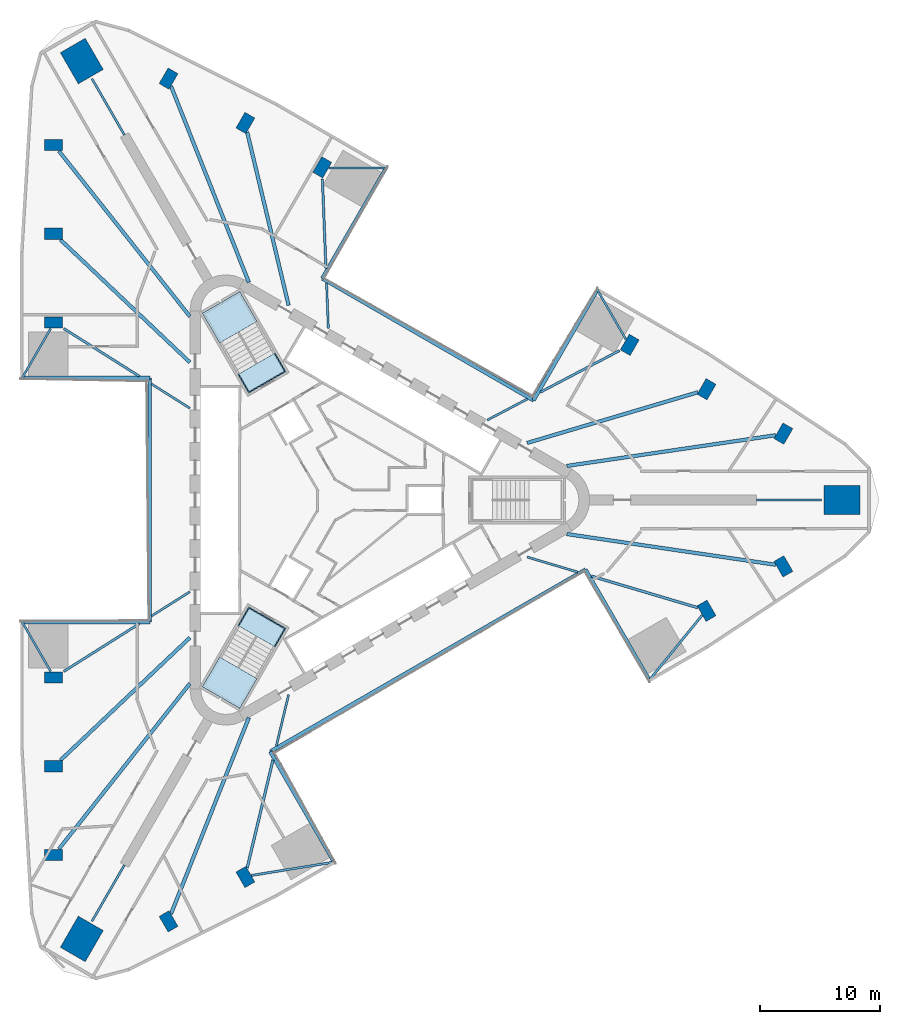
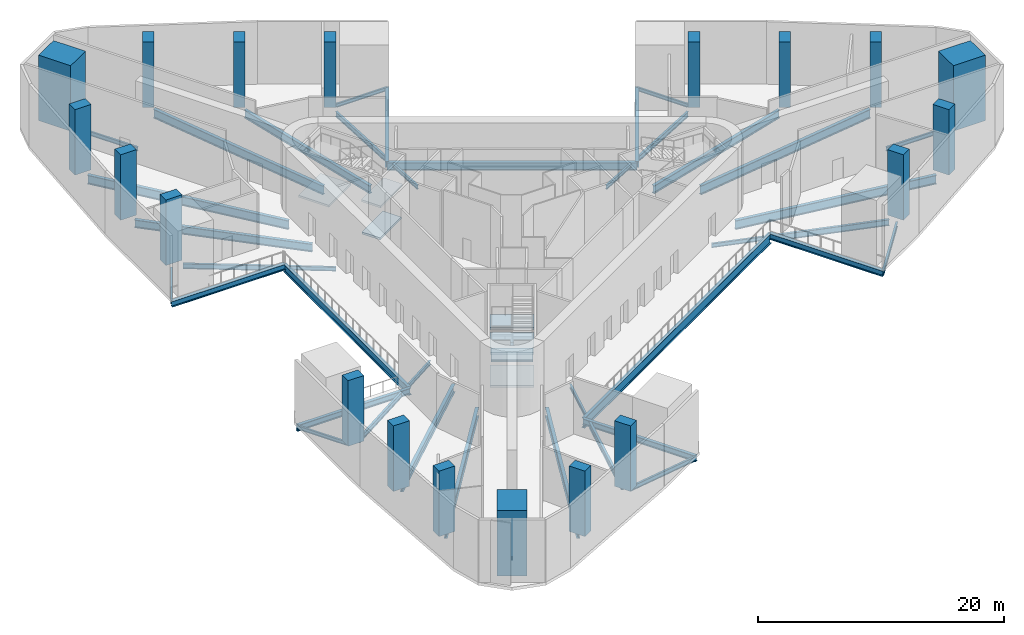
# One storey, part 1 of 11: 40 beams, 19 columns, 7 slabs, 2 elements without a shape of their own.
"""IFC4 building model written with IfcOpenShell, lengths in metres."""

from ifc_helpers import new_model, si_unit, direction, frame, origin, origin_2d, place, context, subcontext, project, spatial, polyline, rectangle, i_section, outline, extrude, material, layer, layer_set, material_profile, profile_set, type_object, element, aggregate, save


model = new_model("IFC4")

# Units and contexts
model_context = context("Model", 3, precision=1e-05, world=origin(), true_north=direction((0.0, 1.0)))
body_context = subcontext(model_context, "Body", "Model", "MODEL_VIEW")
ifc_project = project(units=[si_unit("LENGTHUNIT", "METRE"), si_unit("AREAUNIT", "SQUARE_METRE"), si_unit("VOLUMEUNIT", "CUBIC_METRE"), si_unit("PLANEANGLEUNIT", "RADIAN"), si_unit("MASSUNIT", "GRAM", prefix="KILO")], contexts=[model_context])

# Site, building, storey
site_placement = place(None, origin())
site = spatial("IfcSite", under=ifc_project, at=site_placement, CompositionType="ELEMENT")
building_placement = place(site_placement, origin())
building = spatial("IfcBuilding", under=site, at=building_placement, Name="Tanit Gate Tower", CompositionType="ELEMENT")
storey_placement = place(building_placement, frame((0.0, 0.0, 9.0)))
storey = spatial("IfcBuildingStorey", under=building, at=storey_placement, Name="L01", CompositionType="ELEMENT", Elevation=9.0)

# Columns
ifc_material_1 = material(Name="Concrete C80/95", Category="concrete")
ifc_material_profile_1 = material_profile(ifc_material_1, rectangle(XDim=3.0, YDim=2.39990234375, at=origin_2d()), Name="RC 3000x2400")
ifc_profile_set_1 = profile_set([ifc_material_profile_1], Name="Concrete C80/95")
column_type_1 = type_object("IfcColumnType", Name="MEGA COLUMN 3000x2400 C80/95", PredefinedType="COLUMN", material=ifc_profile_set_1)
for number, where, z_axis, x_axis, name in (
    (1, (42.211181640625, 0.0, 0.0), (0.0, 0.0, 1.0), (1.0, 0.0, 0.0), "MEGA COLUMN"),
    (2, (-21.105712890625, 36.555908203125, 0.0), (0.0, 0.0, 1.0), (-0.5, 0.866025403784, 0.0), "MEGA COLUMN"),
    (3, (-21.105712890625, -36.555908203125, 0.0), (0.0, 0.0, 1.0), (-0.5, -0.866025403784, 0.0), "MEGA COLUMN"),
):
    element("IfcColumn", number, at=place(storey_placement, frame(where, z_axis=z_axis, x_axis=x_axis)), inside=storey, type_object=column_type_1, Name=name, PredefinedType="COLUMN", context=body_context, shape_type="SweptSolid", body=[
        extrude(rectangle(XDim=3.0, YDim=2.39990234375, at=origin_2d()), origin(), (0.0, 0.0, 1.0), 6.5),
    ])
ifc_material_2 = material(Name="Concrete C70/85", Category="concrete")
ifc_material_profile_2 = material_profile(ifc_material_2, rectangle(XDim=1.5, YDim=0.949951171875, at=origin_2d()), Name="RC 1500x950")
ifc_profile_set_2 = profile_set([ifc_material_profile_2], Name="Concrete C70/85")
column_type_2 = type_object("IfcColumnType", Name="PERIMETER COLUMN 1500x950 C70/85", PredefinedType="COLUMN", material=ifc_profile_set_2)
for number, where, z_axis, x_axis, name in (
    (4, (-23.453369140625, 29.56591796875, 0.0), (0.0, 0.0, 1.0), (-1.0, 0.0, 0.0), "PERIMETER COLUMN"),
    (5, (-23.453369140625, 22.17431640625, 0.0), (0.0, 0.0, 1.0), (-1.0, 0.0, 0.0), "PERIMETER COLUMN"),
    (6, (-23.453369140625, 14.782958984375, 0.0), (0.0, 0.0, 1.0), (-1.0, 0.0, 0.0), "PERIMETER COLUMN"),
    (7, (-23.453369140625, -14.782958984375, 0.0), (0.0, 0.0, 1.0), (-1.0, 0.0, 0.0), "PERIMETER COLUMN"),
    (8, (-23.453369140625, -22.17431640625, 0.0), (0.0, 0.0, 1.0), (-1.0, 0.0, 0.0), "PERIMETER COLUMN"),
    (9, (-23.453369140625, -29.56591796875, 0.0), (0.0, 0.0, 1.0), (-1.0, 0.0, 0.0), "PERIMETER COLUMN"),
    (10, (37.331298828125, 5.5283203125, 0.0), (0.0, 0.0, 1.0), (0.5, 0.866025403784, 0.0), "PERIMETER COLUMN"),
    (11, (30.930419921875, 9.22412109375, 0.0), (0.0, 0.0, 1.0), (0.5, 0.866025403784, 0.0), "PERIMETER COLUMN"),
    (12, (24.529052734375, 12.919921875, 0.0), (0.0, 0.0, 1.0), (0.5, 0.866025403784, 0.0), "PERIMETER COLUMN"),
    (13, (-1.07568359375, 27.70263671875, 0.0), (0.0, 0.0, 1.0), (0.5, 0.866025403784, 0.0), "PERIMETER COLUMN"),
    (14, (-7.476806640625, 31.3984375, 0.0), (0.0, 0.0, 1.0), (0.5, 0.866025403784, 0.0), "PERIMETER COLUMN"),
    (15, (-13.8779296875, 35.093994140625, 0.0), (0.0, 0.0, 1.0), (0.5, 0.866025403784, 0.0), "PERIMETER COLUMN"),
    (16, (-13.8779296875, -35.093994140625, 0.0), (0.0, 0.0, 1.0), (0.5, -0.866025403784, 0.0), "PERIMETER COLUMN"),
    (17, (-7.476806640625, -31.3984375, 0.0), (0.0, 0.0, 1.0), (0.5, -0.866025403784, 0.0), "PERIMETER COLUMN"),
    (18, (30.930419921875, -9.22412109375, 0.0), (0.0, 0.0, 1.0), (0.5, -0.866025403784, 0.0), "PERIMETER COLUMN"),
    (19, (37.331298828125, -5.5283203125, 0.0), (0.0, 0.0, 1.0), (0.5, -0.866025403784, 0.0), "PERIMETER COLUMN"),
):
    element("IfcColumn", number, at=place(storey_placement, frame(where, z_axis=z_axis, x_axis=x_axis)), inside=storey, type_object=column_type_2, Name=name, PredefinedType="COLUMN", context=body_context, shape_type="SweptSolid", body=[
        extrude(rectangle(XDim=1.5, YDim=0.949951171875, at=origin_2d()), origin(), (0.0, 0.0, 1.0), 6.5),
    ])

# Beams
ifc_material_3 = material(Name="Steel S355", Category="steel")
ifc_material_profile_3 = material_profile(ifc_material_3, i_section(OverallWidth=0.300048828125, OverallDepth=0.590087890625, WebThickness=0.012939453125, FlangeThickness=0.02490234375, FilletRadius=0.027099609375, at=origin_2d()), Name="HEA 600")
ifc_profile_set_3 = profile_set([ifc_material_profile_3], Name="Steel S355")
beam_type_1 = type_object("IfcBeamType", Name="EDGE BEAM HEA 600 S355", PredefinedType="BEAM", material=ifc_profile_set_3)
beam_1_placement = place(storey_placement, frame((26.16259765625, -14.9951171875, -0.594970703125), z_axis=(-0.500000853759, 0.866024910866, 0.0), x_axis=(-0.866024910866, -0.500000853759, 0.0)))
element("IfcBeam", 20, at=beam_1_placement, inside=storey, type_object=beam_type_1, Name="EDGE BEAM", PredefinedType="BEAM", context=body_context, shape_type="SweptSolid", body=[
    extrude(i_section(OverallWidth=0.300048828125, OverallDepth=0.590087890625, WebThickness=0.012939453125, FlangeThickness=0.02490234375, FilletRadius=0.027099609375, at=origin_2d()), origin(), (0.0, 0.0, 1.0), 10.62744140625),
])
beam_2_placement = place(storey_placement, frame((-5.408935546875, -20.951416015625, -0.594970703125), z_axis=(0.500000139537, -0.866025323223, 0.0), x_axis=(0.866025323223, 0.500000139537, 0.0)))
element("IfcBeam", 21, at=beam_2_placement, inside=storey, type_object=beam_type_1, Name="EDGE BEAM", PredefinedType="BEAM", context=body_context, shape_type="SweptSolid", body=[
    extrude(i_section(OverallWidth=0.300048828125, OverallDepth=0.590087890625, WebThickness=0.012939453125, FlangeThickness=0.02490234375, FilletRadius=0.027099609375, at=origin_2d()), origin(), (0.0, 0.0, 1.0), 10.62939453125),
])
beam_3_placement = place(storey_placement, frame((-26.067626953125, -10.159912109375, -0.594970703125), z_axis=(1.0, 0.0, 0.0), x_axis=(0.0, 1.0, 0.0)))
element("IfcBeam", 22, at=beam_3_placement, inside=storey, type_object=beam_type_1, Name="EDGE BEAM", PredefinedType="BEAM", context=body_context, shape_type="SweptSolid", body=[
    extrude(i_section(OverallWidth=0.300048828125, OverallDepth=0.590087890625, WebThickness=0.012939453125, FlangeThickness=0.02490234375, FilletRadius=0.027099609375, at=origin_2d()), origin(), (0.0, 0.0, 1.0), 10.627685546875),
])
beam_4_placement = place(storey_placement, frame((-15.43994140625, 10.159912109375, -0.594970703125), z_axis=(-1.0, 0.0, 0.0), x_axis=(0.0, -1.0, 0.0)))
element("IfcBeam", 23, at=beam_4_placement, inside=storey, type_object=beam_type_1, Name="EDGE BEAM", PredefinedType="BEAM", context=body_context, shape_type="SweptSolid", body=[
    extrude(i_section(OverallWidth=0.300048828125, OverallDepth=0.590087890625, WebThickness=0.012939453125, FlangeThickness=0.02490234375, FilletRadius=0.027099609375, at=origin_2d()), origin(), (0.0, 0.0, 1.0), 10.629150390625),
])
beam_5_placement = place(storey_placement, frame((4.235107421875, 27.6552734375, -0.594970703125), z_axis=(-0.500008135536, -0.866020706679, 0.0), x_axis=(0.866020706679, -0.500008135536, 0.0)))
element("IfcBeam", 24, at=beam_5_placement, inside=storey, type_object=beam_type_1, Name="EDGE BEAM", PredefinedType="BEAM", context=body_context, shape_type="SweptSolid", body=[
    extrude(i_section(OverallWidth=0.300048828125, OverallDepth=0.590087890625, WebThickness=0.012939453125, FlangeThickness=0.02490234375, FilletRadius=0.027099609375, at=origin_2d()), origin(), (0.0, 0.0, 1.0), 10.627685546875),
])
beam_6_placement = place(storey_placement, frame((16.518798828125, 8.29150390625, -0.594970703125), z_axis=(0.500010085333, 0.866019580936, 0.0), x_axis=(-0.866019580936, 0.500010085333, 0.0)))
element("IfcBeam", 25, at=beam_6_placement, inside=storey, type_object=beam_type_1, Name="EDGE BEAM", PredefinedType="BEAM", context=body_context, shape_type="SweptSolid", body=[
    extrude(i_section(OverallWidth=0.300048828125, OverallDepth=0.590087890625, WebThickness=0.012939453125, FlangeThickness=0.02490234375, FilletRadius=0.027099609375, at=origin_2d()), origin(), (0.0, 0.0, 1.0), 10.629150390625),
])
ifc_material_4 = material(Name="Steel S355", Category="steel")
ifc_material_profile_4 = material_profile(ifc_material_4, i_section(OverallWidth=0.300048828125, OverallDepth=0.7900390625, WebThickness=0.014892578125, FlangeThickness=0.028076171875, FilletRadius=0.030029296875, at=origin_2d()), Name="HEA 800")
ifc_profile_set_4 = profile_set([ifc_material_profile_4], Name="Steel S355")
beam_type_2 = type_object("IfcBeamType", Name="EDGE BEAM HEA 800 S355", PredefinedType="BEAM", material=ifc_profile_set_4)
beam_7_placement = place(storey_placement, frame((-15.43994140625, -10.159912109375, -0.695068359375), z_axis=(0.0, 1.0, 0.0), x_axis=(-1.0, 0.0, 0.0)))
element("IfcBeam", 26, at=beam_7_placement, inside=storey, type_object=beam_type_2, Name="EDGE BEAM", PredefinedType="BEAM", context=body_context, shape_type="SweptSolid", body=[
    extrude(i_section(OverallWidth=0.300048828125, OverallDepth=0.7900390625, WebThickness=0.014892578125, FlangeThickness=0.028076171875, FilletRadius=0.030029296875, at=origin_2d()), origin(), (0.0, 0.0, 1.0), 20.31982421875),
])
beam_8_placement = place(storey_placement, frame((-1.078857421875, 18.451416015625, -0.695068359375), z_axis=(0.866027523318, -0.499996328842, 0.0), x_axis=(0.499996328842, 0.866027523318, 0.0)))
element("IfcBeam", 27, at=beam_8_placement, inside=storey, type_object=beam_type_2, Name="EDGE BEAM", PredefinedType="BEAM", context=body_context, shape_type="SweptSolid", body=[
    extrude(i_section(OverallWidth=0.300048828125, OverallDepth=0.7900390625, WebThickness=0.014892578125, FlangeThickness=0.028076171875, FilletRadius=0.030029296875, at=origin_2d()), origin(), (0.0, 0.0, 1.0), 20.320068359375),
])
ifc_material_5 = material(Name="Steel S355", Category="steel")
ifc_material_profile_5 = material_profile(ifc_material_5, i_section(OverallWidth=0.300048828125, OverallDepth=1.0, WebThickness=0.01904296875, FlangeThickness=0.035888671875, FilletRadius=0.030029296875, at=origin_2d()), Name="HEB 1000")
ifc_profile_set_5 = profile_set([ifc_material_profile_5], Name="Steel S355")
beam_type_3 = type_object("IfcBeamType", Name="EDGE BEAM HEB 1000 S355", PredefinedType="BEAM", material=ifc_profile_set_5)
beam_9_placement = place(storey_placement, frame((20.848876953125, -5.79150390625, -0.800048828125), z_axis=(-0.86602601797, -0.499998936197, 0.0), x_axis=(0.499998936197, -0.86602601797, 0.0)))
element("IfcBeam", 28, at=beam_9_placement, inside=storey, type_object=beam_type_3, Name="EDGE BEAM", PredefinedType="BEAM", context=body_context, shape_type="SweptSolid", body=[
    extrude(i_section(OverallWidth=0.300048828125, OverallDepth=1.0, WebThickness=0.01904296875, FlangeThickness=0.035888671875, FilletRadius=0.030029296875, at=origin_2d()), origin(), (0.0, 0.0, 1.0), 30.31982421875),
])
ifc_material_6 = material(Name="Steel S355", Category="steel")
ifc_material_profile_6 = material_profile(ifc_material_6, i_section(OverallWidth=0.300048828125, OverallDepth=0.7900390625, WebThickness=0.014892578125, FlangeThickness=0.028076171875, FilletRadius=0.030029296875, at=origin_2d()), Name="HEA 800")
ifc_profile_set_6 = profile_set([ifc_material_profile_6], Name="Steel S355")
beam_type_4 = type_object("IfcBeamType", Name="RADIAL GIRDER HEA 800 S355", PredefinedType="BEAM", material=ifc_profile_set_6)
for number, where, z_axis, x_axis, name in (
    (29, (-22.875732421875, -21.67431640625, -0.695068359375), (0.725906863399, 0.687793010774, 0.0), (-0.687793010774, 0.725906863399, 0.0), "RADIAL GIRDER"),
    (30, (30.20849609375, 8.973876953125, -0.695068359375), (-0.958594748436, -0.284773784383, 0.0), (0.284773784383, -0.958594748436, 0.0), "RADIAL GIRDER"),
    (31, (-7.33251953125, 30.648193359375, -0.695068359375), (0.232680439766, -0.972553244275, 0.0), (0.972553244275, 0.232680439766, 0.0), "RADIAL GIRDER"),
    (32, (-22.875732421875, 21.67431640625, -0.695068359375), (0.725906863399, -0.687793010774, 0.0), (0.687793010774, 0.725906863399, 0.0), "RADIAL GIRDER"),
):
    element("IfcBeam", number, at=place(storey_placement, frame(where, z_axis=z_axis, x_axis=x_axis)), inside=storey, type_object=beam_type_4, Name=name, PredefinedType="BEAM", context=body_context, shape_type="SweptSolid", body=[
        extrude(i_section(OverallWidth=0.300048828125, OverallDepth=0.7900390625, WebThickness=0.014892578125, FlangeThickness=0.028076171875, FilletRadius=0.030029296875, at=origin_2d()), origin(), (0.0, 0.0, 1.0), 14.841796875),
    ])
ifc_material_7 = material(Name="Steel S355", Category="steel")
ifc_material_profile_7 = material_profile(ifc_material_7, i_section(OverallWidth=0.300048828125, OverallDepth=0.889892578125, WebThickness=0.01611328125, FlangeThickness=0.030029296875, FilletRadius=0.030029296875, at=origin_2d()), Name="HEA 900")
ifc_profile_set_7 = profile_set([ifc_material_profile_7], Name="Steel S355")
beam_type_5 = type_object("IfcBeamType", Name="RADIAL GIRDER HEA 900 S355", PredefinedType="BEAM", material=ifc_profile_set_7)
for number, where, z_axis, x_axis, name in (
    (33, (-23.007568359375, -29.06591796875, -0.7451171875), (0.620648848158, 0.784088647591, 0.0), (-0.784088647591, 0.620648848158, 0.0), "RADIAL GIRDER"),
    (34, (-13.66796875, -34.4580078125, -0.7451171875), (0.368718043826, 0.929541286957, 0.0), (-0.929541286957, 0.368718043826, 0.0), "RADIAL GIRDER"),
    (35, (36.675537109375, -5.392333984375, -0.7451171875), (-0.989364076068, 0.145460389747, 0.0), (-0.145460389747, -0.989364076068, 0.0), "RADIAL GIRDER"),
    (36, (36.675537109375, 5.392333984375, -0.7451171875), (-0.989364076068, -0.145460389747, 0.0), (0.145460389747, -0.989364076068, 0.0), "RADIAL GIRDER"),
    (37, (-13.66796875, 34.4580078125, -0.7451171875), (0.368718043826, -0.929541286957, 0.0), (0.929541286957, 0.368718043826, 0.0), "RADIAL GIRDER"),
    (38, (-23.007568359375, 29.06591796875, -0.7451171875), (0.620648848158, -0.784088647591, 0.0), (0.784088647591, 0.620648848158, 0.0), "RADIAL GIRDER"),
):
    element("IfcBeam", number, at=place(storey_placement, frame(where, z_axis=z_axis, x_axis=x_axis)), inside=storey, type_object=beam_type_5, Name=name, PredefinedType="BEAM", context=body_context, shape_type="SweptSolid", body=[
        extrude(i_section(OverallWidth=0.300048828125, OverallDepth=0.889892578125, WebThickness=0.01611328125, FlangeThickness=0.030029296875, FilletRadius=0.030029296875, at=origin_2d()), origin(), (0.0, 0.0, 1.0), 17.571044921875),
    ])
ifc_material_8 = material(Name="Steel S355", Category="steel")
ifc_material_profile_8 = material_profile(ifc_material_8, i_section(OverallWidth=0.179931640625, OverallDepth=0.39990234375, WebThickness=0.008544921875, FlangeThickness=0.013427734375, FilletRadius=0.02099609375, at=origin_2d()), Name="IPE 400")
ifc_profile_set_8 = profile_set([ifc_material_profile_8], Name="Steel S355")
beam_type_6 = type_object("IfcBeamType", Name="RADIAL GIRDER IPE 400 S355", PredefinedType="BEAM", material=ifc_profile_set_8)
beam_10_placement = place(storey_placement, frame((-15.291748046875, -9.6591796875, -0.5), z_axis=(0.845447383013, 0.534058725756, 0.0), x_axis=(-0.534058725756, 0.845447383013, 0.0)))
element("IfcBeam", 39, at=beam_10_placement, inside=storey, type_object=beam_type_6, Name="RADIAL GIRDER", PredefinedType="BEAM", context=body_context, shape_type="SweptSolid", body=[
    extrude(i_section(OverallWidth=0.179931640625, OverallDepth=0.39990234375, WebThickness=0.008544921875, FlangeThickness=0.013427734375, FilletRadius=0.02099609375, at=origin_2d()), origin(), (0.0, 0.0, 1.0), 3.772705078125),
])
beam_11_placement = place(storey_placement, frame((-20.255615234375, -35.083740234375, -0.5), z_axis=(0.500014285048, 0.866017156151, 0.0), x_axis=(-0.866017156151, 0.500014285048, 0.0)))
element("IfcBeam", 40, at=beam_11_placement, inside=storey, type_object=beam_type_6, Name="RADIAL GIRDER", PredefinedType="BEAM", context=body_context, shape_type="SweptSolid", body=[
    extrude(i_section(OverallWidth=0.179931640625, OverallDepth=0.39990234375, WebThickness=0.008544921875, FlangeThickness=0.013427734375, FilletRadius=0.02099609375, at=origin_2d()), origin(), (0.0, 0.0, 1.0), 5.406982421875),
])
beam_12_placement = place(storey_placement, frame((-4.901123046875, -20.485107421875, -0.5), z_axis=(0.232700096792, 0.972548541181, 0.0), x_axis=(-0.972548541181, 0.232700096792, 0.0)))
element("IfcBeam", 41, at=beam_12_placement, inside=storey, type_object=beam_type_6, Name="RADIAL GIRDER", PredefinedType="BEAM", context=body_context, shape_type="SweptSolid", body=[
    extrude(i_section(OverallWidth=0.179931640625, OverallDepth=0.39990234375, WebThickness=0.008544921875, FlangeThickness=0.013427734375, FilletRadius=0.02099609375, at=origin_2d()), origin(), (0.0, 0.0, 1.0), 4.391845703125),
])
beam_13_placement = place(storey_placement, frame((20.19287109375, -5.99853515625, -0.5), z_axis=(-0.958592129007, 0.284782601656, 0.0), x_axis=(-0.284782601656, -0.958592129007, 0.0)))
element("IfcBeam", 42, at=beam_13_placement, inside=storey, type_object=beam_type_6, Name="RADIAL GIRDER", PredefinedType="BEAM", context=body_context, shape_type="SweptSolid", body=[
    extrude(i_section(OverallWidth=0.179931640625, OverallDepth=0.39990234375, WebThickness=0.008544921875, FlangeThickness=0.013427734375, FilletRadius=0.02099609375, at=origin_2d()), origin(), (0.0, 0.0, 1.0), 4.3935546875),
])
beam_14_placement = place(storey_placement, frame((40.51123046875, 0.0, -0.5), z_axis=(-1.0, 0.0, 0.0), x_axis=(0.0, -1.0, 0.0)))
element("IfcBeam", 43, at=beam_14_placement, inside=storey, type_object=beam_type_6, Name="RADIAL GIRDER", PredefinedType="BEAM", context=body_context, shape_type="SweptSolid", body=[
    extrude(i_section(OverallWidth=0.179931640625, OverallDepth=0.39990234375, WebThickness=0.008544921875, FlangeThickness=0.013427734375, FilletRadius=0.02099609375, at=origin_2d()), origin(), (0.0, 0.0, 1.0), 5.4072265625),
])
beam_15_placement = place(storey_placement, frame((16.0107421875, 8.413330078125, -0.5), z_axis=(-0.885224054612, -0.465164888117, 0.0), x_axis=(0.465164888117, -0.885224054612, 0.0)))
element("IfcBeam", 44, at=beam_15_placement, inside=storey, type_object=beam_type_6, Name="RADIAL GIRDER", PredefinedType="BEAM", context=body_context, shape_type="SweptSolid", body=[
    extrude(i_section(OverallWidth=0.179931640625, OverallDepth=0.39990234375, WebThickness=0.008544921875, FlangeThickness=0.013427734375, FilletRadius=0.02099609375, at=origin_2d()), origin(), (0.0, 0.0, 1.0), 3.772705078125),
])
beam_16_placement = place(storey_placement, frame((-0.718994140625, 18.070556640625, -0.5), z_axis=(0.039753427417, -0.999209520075, 0.0), x_axis=(0.999209520075, 0.039753427417, 0.0)))
element("IfcBeam", 45, at=beam_16_placement, inside=storey, type_object=beam_type_6, Name="RADIAL GIRDER", PredefinedType="BEAM", context=body_context, shape_type="SweptSolid", body=[
    extrude(i_section(OverallWidth=0.179931640625, OverallDepth=0.39990234375, WebThickness=0.008544921875, FlangeThickness=0.013427734375, FilletRadius=0.02099609375, at=origin_2d()), origin(), (0.0, 0.0, 1.0), 3.770751953125),
])
beam_17_placement = place(storey_placement, frame((-20.255615234375, 35.083740234375, -0.5), z_axis=(0.500014285048, -0.866017156151, 0.0), x_axis=(0.866017156151, 0.500014285048, 0.0)))
element("IfcBeam", 46, at=beam_17_placement, inside=storey, type_object=beam_type_6, Name="RADIAL GIRDER", PredefinedType="BEAM", context=body_context, shape_type="SweptSolid", body=[
    extrude(i_section(OverallWidth=0.179931640625, OverallDepth=0.39990234375, WebThickness=0.008544921875, FlangeThickness=0.013427734375, FilletRadius=0.02099609375, at=origin_2d()), origin(), (0.0, 0.0, 1.0), 5.406982421875),
])
beam_18_placement = place(storey_placement, frame((-15.291748046875, 9.6591796875, -0.5), z_axis=(0.845447383013, -0.534058725756, 0.0), x_axis=(0.534058725756, 0.845447383013, 0.0)))
element("IfcBeam", 47, at=beam_18_placement, inside=storey, type_object=beam_type_6, Name="RADIAL GIRDER", PredefinedType="BEAM", context=body_context, shape_type="SweptSolid", body=[
    extrude(i_section(OverallWidth=0.179931640625, OverallDepth=0.39990234375, WebThickness=0.008544921875, FlangeThickness=0.013427734375, FilletRadius=0.02099609375, at=origin_2d()), origin(), (0.0, 0.0, 1.0), 3.772705078125),
])
ifc_material_9 = material(Name="Steel S355", Category="steel")
ifc_material_profile_9 = material_profile(ifc_material_9, i_section(OverallWidth=0.199951171875, OverallDepth=0.5, WebThickness=0.01025390625, FlangeThickness=0.01611328125, FilletRadius=0.02099609375, at=origin_2d()), Name="IPE 500")
ifc_profile_set_9 = profile_set([ifc_material_profile_9], Name="Steel S355")
beam_type_7 = type_object("IfcBeamType", Name="RADIAL GIRDER IPE 500 S355", PredefinedType="BEAM", material=ifc_profile_set_9)
beam_19_placement = place(storey_placement, frame((-22.613525390625, -14.283935546875, -0.550048828125), z_axis=(0.845461615024, 0.534036194953, 0.0), x_axis=(-0.534036194953, 0.845461615024, 0.0)))
element("IfcBeam", 48, at=beam_19_placement, inside=storey, type_object=beam_type_7, Name="RADIAL GIRDER", PredefinedType="BEAM", context=body_context, shape_type="SweptSolid", body=[
    extrude(i_section(OverallWidth=0.199951171875, OverallDepth=0.5, WebThickness=0.01025390625, FlangeThickness=0.01611328125, FilletRadius=0.02099609375, at=origin_2d()), origin(), (0.0, 0.0, 1.0), 7.441162109375),
])
beam_20_placement = place(storey_placement, frame((23.67529296875, 12.44091796875, -0.550048828125), z_axis=(-0.88522698472, -0.465159311983, 0.0), x_axis=(0.465159311983, -0.88522698472, 0.0)))
element("IfcBeam", 49, at=beam_20_placement, inside=storey, type_object=beam_type_7, Name="RADIAL GIRDER", PredefinedType="BEAM", context=body_context, shape_type="SweptSolid", body=[
    extrude(i_section(OverallWidth=0.199951171875, OverallDepth=0.5, WebThickness=0.01025390625, FlangeThickness=0.01611328125, FilletRadius=0.02099609375, at=origin_2d()), origin(), (0.0, 0.0, 1.0), 7.439208984375),
])
beam_21_placement = place(storey_placement, frame((-1.0634765625, 26.723876953125, -0.550048828125), z_axis=(0.039774071946, -0.999208698521, 0.0), x_axis=(0.999208698521, 0.039774071946, 0.0)))
element("IfcBeam", 50, at=beam_21_placement, inside=storey, type_object=beam_type_7, Name="RADIAL GIRDER", PredefinedType="BEAM", context=body_context, shape_type="SweptSolid", body=[
    extrude(i_section(OverallWidth=0.199951171875, OverallDepth=0.5, WebThickness=0.01025390625, FlangeThickness=0.01611328125, FilletRadius=0.02099609375, at=origin_2d()), origin(), (0.0, 0.0, 1.0), 7.439453125),
])
beam_22_placement = place(storey_placement, frame((-22.613525390625, 14.283935546875, -0.550048828125), z_axis=(0.845461615024, -0.534036194953, 0.0), x_axis=(0.534036194953, 0.845461615024, 0.0)))
element("IfcBeam", 51, at=beam_22_placement, inside=storey, type_object=beam_type_7, Name="RADIAL GIRDER", PredefinedType="BEAM", context=body_context, shape_type="SweptSolid", body=[
    extrude(i_section(OverallWidth=0.199951171875, OverallDepth=0.5, WebThickness=0.01025390625, FlangeThickness=0.01611328125, FilletRadius=0.02099609375, at=origin_2d()), origin(), (0.0, 0.0, 1.0), 7.441162109375),
])
ifc_material_10 = material(Name="Steel S355", Category="steel")
ifc_material_profile_10 = material_profile(ifc_material_10, i_section(OverallWidth=0.219970703125, OverallDepth=0.60009765625, WebThickness=0.011962890625, FlangeThickness=0.01904296875, FilletRadius=0.02392578125, at=origin_2d()), Name="IPE 600")
ifc_profile_set_10 = profile_set([ifc_material_profile_10], Name="Steel S355")
beam_type_8 = type_object("IfcBeamType", Name="RADIAL GIRDER IPE 600 S355", PredefinedType="BEAM", material=ifc_profile_set_10)
for number, where, z_axis, x_axis, name in (
    (52, (-7.33251953125, -30.648193359375, -0.60009765625), (0.232677378345, 0.972553976706, 0.0), (-0.972553976706, 0.232677378345, 0.0), "RADIAL GIRDER"),
    (53, (30.20849609375, -8.973876953125, -0.60009765625), (-0.958599051905, 0.284759297807, 0.0), (-0.284759297807, -0.958599051905, 0.0), "RADIAL GIRDER"),
):
    element("IfcBeam", number, at=place(storey_placement, frame(where, z_axis=z_axis, x_axis=x_axis)), inside=storey, type_object=beam_type_8, Name=name, PredefinedType="BEAM", context=body_context, shape_type="SweptSolid", body=[
        extrude(i_section(OverallWidth=0.219970703125, OverallDepth=0.60009765625, WebThickness=0.011962890625, FlangeThickness=0.01904296875, FilletRadius=0.02392578125, at=origin_2d()), origin(), (0.0, 0.0, 1.0), 9.25341796875),
    ])
ifc_material_11 = material(Name="Steel S355", Category="steel")
ifc_material_profile_11 = material_profile(ifc_material_11, i_section(OverallWidth=0.169921875, OverallDepth=0.360107421875, WebThickness=0.008056640625, FlangeThickness=0.0126953125, FilletRadius=0.01806640625, at=origin_2d()), Name="IPE 360")
ifc_profile_set_11 = profile_set([ifc_material_profile_11], Name="Steel S355")
beam_type_9 = type_object("IfcBeamType", Name="RING BEAM IPE 360 S355", PredefinedType="BEAM", material=ifc_profile_set_11)
beam_23_placement = place(storey_placement, frame((-26.067626953125, -10.159912109375, -0.47998046875), z_axis=(0.499296012732, -0.86643146969, 0.0), x_axis=(0.86643146969, 0.499296012732, 0.0)))
element("IfcBeam", 54, at=beam_23_placement, inside=storey, type_object=beam_type_9, Name="RING BEAM", PredefinedType="BEAM", context=body_context, shape_type="SweptSolid", body=[
    extrude(i_section(OverallWidth=0.169921875, OverallDepth=0.360107421875, WebThickness=0.008056640625, FlangeThickness=0.0126953125, FilletRadius=0.01806640625, at=origin_2d()), origin(), (0.0, 0.0, 1.0), 4.758544921875),
])
beam_24_placement = place(storey_placement, frame((-26.069091796875, 10.159912109375, -0.47998046875), z_axis=(0.499527046549, 0.866298291448, 0.0), x_axis=(-0.866298291448, 0.499527046549, 0.0)))
element("IfcBeam", 55, at=beam_24_placement, inside=storey, type_object=beam_type_9, Name="RING BEAM", PredefinedType="BEAM", context=body_context, shape_type="SweptSolid", body=[
    extrude(i_section(OverallWidth=0.169921875, OverallDepth=0.360107421875, WebThickness=0.008056640625, FlangeThickness=0.0126953125, FilletRadius=0.01806640625, at=origin_2d()), origin(), (0.0, 0.0, 1.0), 4.75927734375),
])
beam_25_placement = place(storey_placement, frame((4.235107421875, 27.6552734375, -0.47998046875), z_axis=(-0.999999703899, 0.000769546253, 0.0), x_axis=(-0.000769546253, -0.999999703899, 0.0)))
element("IfcBeam", 56, at=beam_25_placement, inside=storey, type_object=beam_type_9, Name="RING BEAM", PredefinedType="BEAM", context=body_context, shape_type="SweptSolid", body=[
    extrude(i_section(OverallWidth=0.169921875, OverallDepth=0.360107421875, WebThickness=0.008056640625, FlangeThickness=0.0126953125, FilletRadius=0.01806640625, at=origin_2d()), origin(), (0.0, 0.0, 1.0), 4.7587890625),
])
beam_26_placement = place(storey_placement, frame((21.83349609375, 17.49658203125, -0.47998046875), z_axis=(0.50042544903, -0.865779631294, 0.0), x_axis=(0.865779631294, 0.50042544903, 0.0)))
element("IfcBeam", 57, at=beam_26_placement, inside=storey, type_object=beam_type_9, Name="RING BEAM", PredefinedType="BEAM", context=body_context, shape_type="SweptSolid", body=[
    extrude(i_section(OverallWidth=0.169921875, OverallDepth=0.360107421875, WebThickness=0.008056640625, FlangeThickness=0.0126953125, FilletRadius=0.01806640625, at=origin_2d()), origin(), (0.0, 0.0, 1.0), 4.759033203125),
])
ifc_material_12 = material(Name="Steel S355", Category="steel")
ifc_material_profile_12 = material_profile(ifc_material_12, i_section(OverallWidth=0.18994140625, OverallDepth=0.449951171875, WebThickness=0.009521484375, FlangeThickness=0.0146484375, FilletRadius=0.02099609375, at=origin_2d()), Name="IPE 450")
ifc_profile_set_12 = profile_set([ifc_material_profile_12], Name="Steel S355")
beam_type_10 = type_object("IfcBeamType", Name="RING BEAM IPE 450 S355", PredefinedType="BEAM", material=ifc_profile_set_12)
beam_27_placement = place(storey_placement, frame((26.16259765625, -14.9951171875, -0.52490234375), z_axis=(0.63207136867, 0.774910178606, 0.0), x_axis=(-0.774910178606, 0.63207136867, 0.0)))
element("IfcBeam", 58, at=beam_27_placement, inside=storey, type_object=beam_type_10, Name="RING BEAM", PredefinedType="BEAM", context=body_context, shape_type="SweptSolid", body=[
    extrude(i_section(OverallWidth=0.18994140625, OverallDepth=0.449951171875, WebThickness=0.009521484375, FlangeThickness=0.0146484375, FilletRadius=0.02099609375, at=origin_2d()), origin(), (0.0, 0.0, 1.0), 6.968505859375),
])
beam_28_placement = place(storey_placement, frame((-0.09423828125, -30.15673828125, -0.52490234375), z_axis=(-0.987163906386, -0.159710431499, 0.0), x_axis=(0.159710431499, -0.987163906386, 0.0)))
element("IfcBeam", 59, at=beam_28_placement, inside=storey, type_object=beam_type_10, Name="RING BEAM", PredefinedType="BEAM", context=body_context, shape_type="SweptSolid", body=[
    extrude(i_section(OverallWidth=0.18994140625, OverallDepth=0.449951171875, WebThickness=0.009521484375, FlangeThickness=0.0146484375, FilletRadius=0.02099609375, at=origin_2d()), origin(), (0.0, 0.0, 1.0), 6.968994140625),
])

# Stair, slabs
ifc_material_13 = material(Name="Concrete C40/50", Category="concrete")
stair_type = type_object("IfcStairType", Name="INT-STAIR-EXIT", PredefinedType="HALF_TURN_STAIR", material=ifc_material_13)
stair_1_placement = place(storey_placement, origin())
stair_1 = element("IfcStair", 60, at=stair_1_placement, inside=storey, type_object=stair_type, Name="L01 STAIR S2", PredefinedType="HALF_TURN_STAIR")
ifc_material_14 = material(Name="Concrete C40/50", Category="concrete")
ifc_layer = layer(ifc_material_14, 0.199951171875)
ifc_layer_set = layer_set([ifc_layer], Name="INT-STAIR-LANDING")
slab_type = type_object("IfcSlabType", Name="INT-STAIR-LANDING", PredefinedType="LANDING", material=ifc_layer_set)
slab_1_placement = place(storey_placement, frame((0.0, 0.0, 1.425048828125)))
slab_1 = element("IfcSlab", 61, at=slab_1_placement, type_object=slab_type, Name="S2 landing 1", PredefinedType="LANDING", context=body_context, shape_type="SweptSolid", body=[
    extrude(outline(polyline([(-6.5078125, 14.871826171875), (-7.941162109375, 17.3544921875), (-11.058837890625, 15.554443359375), (-9.62548828125, 13.07177734375), (-6.5078125, 14.871826171875)])), origin(), (0.0, 0.0, 1.0), 0.199951171875),
])
slab_2_placement = place(storey_placement, frame((0.0, 0.0, 3.050048828125)))
slab_2 = element("IfcSlab", 62, at=slab_2_placement, type_object=slab_type, Name="S2 landing 2", PredefinedType="LANDING", context=body_context, shape_type="SweptSolid", body=[
    extrude(outline(polyline([(-4.091064453125, 10.68603515625), (-4.9931640625, 12.248291015625), (-8.11083984375, 10.448486328125), (-7.208740234375, 8.885986328125), (-4.091064453125, 10.68603515625)])), origin(), (0.0, 0.0, 1.0), 0.199951171875),
])
aggregate(stair_1, [slab_1, slab_2])

# Slab
slab_3_placement = place(storey_placement, frame((0.0, 0.0, -0.199951171875)))
element("IfcSlab", 63, at=slab_3_placement, inside=storey, type_object=slab_type, Name="S2 floor landing", PredefinedType="LANDING", context=body_context, shape_type="SweptSolid", body=[
    extrude(outline(polyline([(-4.200439453125, 10.71533203125), (-5.0625, 12.20849609375), (-8.04150390625, 10.48828125), (-7.179443359375, 8.995361328125), (-4.200439453125, 10.71533203125)])), origin(), (0.0, 0.0, 1.0), 0.199951171875),
])

# Stair, slabs
stair_2_placement = place(storey_placement, origin())
stair_2 = element("IfcStair", 64, at=stair_2_placement, inside=storey, type_object=stair_type, Name="L01 STAIR S3", PredefinedType="HALF_TURN_STAIR")
slab_4_placement = place(storey_placement, frame((0.0, 0.0, 1.425048828125)))
slab_4 = element("IfcSlab", 65, at=slab_4_placement, type_object=slab_type, Name="S3 landing 1", PredefinedType="LANDING", context=body_context, shape_type="SweptSolid", body=[
    extrude(outline(polyline([(-9.626953125, -13.07421875), (-11.058837890625, -15.554443359375), (-7.941162109375, -17.3544921875), (-6.509033203125, -14.874267578125), (-9.626953125, -13.07421875)])), origin(), (0.0, 0.0, 1.0), 0.199951171875),
])
slab_5_placement = place(storey_placement, frame((0.0, 0.0, 3.050048828125)))
slab_5 = element("IfcSlab", 66, at=slab_5_placement, type_object=slab_type, Name="S3 landing 2", PredefinedType="LANDING", context=body_context, shape_type="SweptSolid", body=[
    extrude(outline(polyline([(-7.208740234375, -8.885986328125), (-8.111328125, -10.44921875), (-4.99365234375, -12.249267578125), (-4.091064453125, -10.68603515625), (-7.208740234375, -8.885986328125)])), origin(), (0.0, 0.0, 1.0), 0.199951171875),
])
slab_6_placement = place(storey_placement, frame((0.0, 0.0, 4.675048828125)))
slab_6 = element("IfcSlab", 67, at=slab_6_placement, type_object=slab_type, Name="S3 landing 3", PredefinedType="LANDING", context=body_context, shape_type="SweptSolid", body=[
    extrude(outline(polyline([(-9.626953125, -13.07421875), (-11.058837890625, -15.554443359375), (-7.941162109375, -17.3544921875), (-6.509033203125, -14.874267578125), (-9.626953125, -13.07421875)])), origin(), (0.0, 0.0, 1.0), 0.199951171875),
])
aggregate(stair_2, [slab_4, slab_5, slab_6])

# Slab
slab_7_placement = place(storey_placement, frame((0.0, 0.0, -0.199951171875)))
element("IfcSlab", 68, at=slab_7_placement, inside=storey, type_object=slab_type, Name="S3 floor landing", PredefinedType="LANDING", context=body_context, shape_type="SweptSolid", body=[
    extrude(outline(polyline([(-7.179443359375, -8.995361328125), (-8.0419921875, -10.4892578125), (-5.06298828125, -12.209228515625), (-4.200439453125, -10.71533203125), (-7.179443359375, -8.995361328125)])), origin(), (0.0, 0.0, 1.0), 0.199951171875),
])

save(model, "model.ifc")
